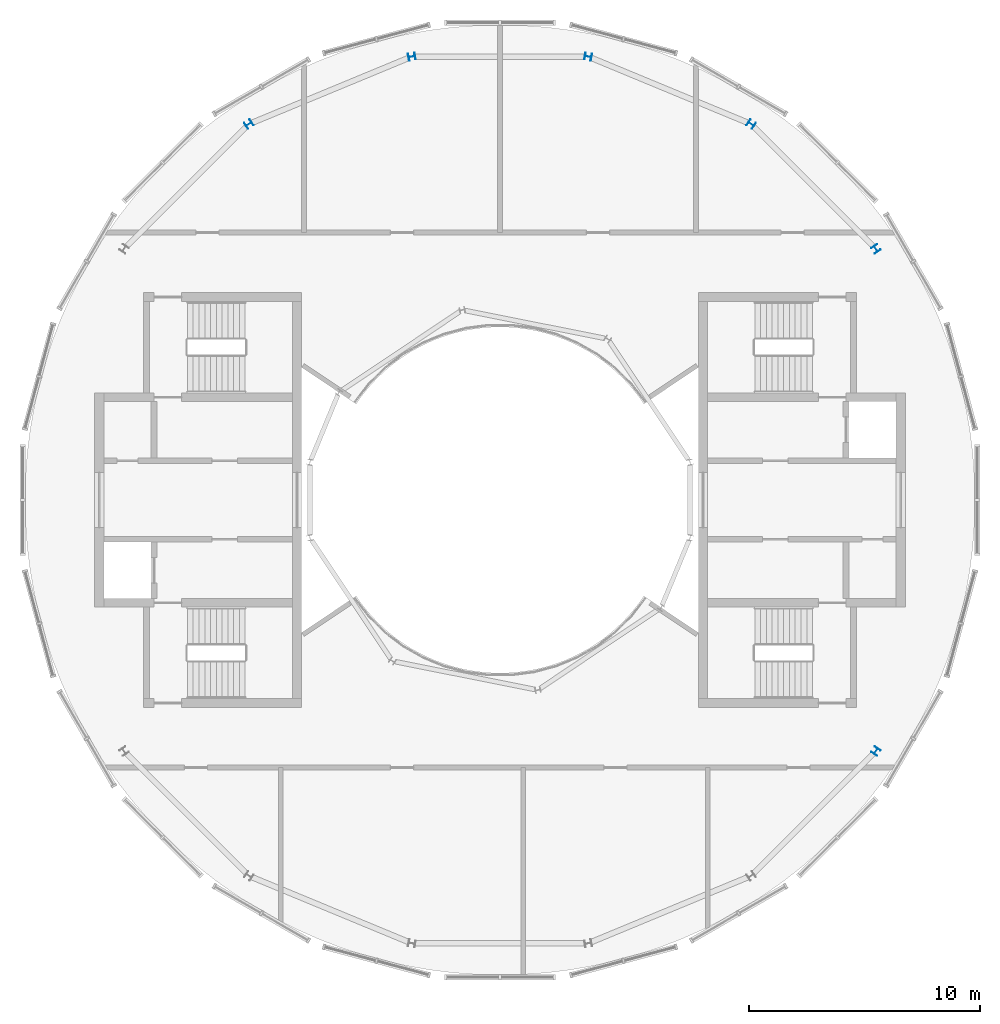
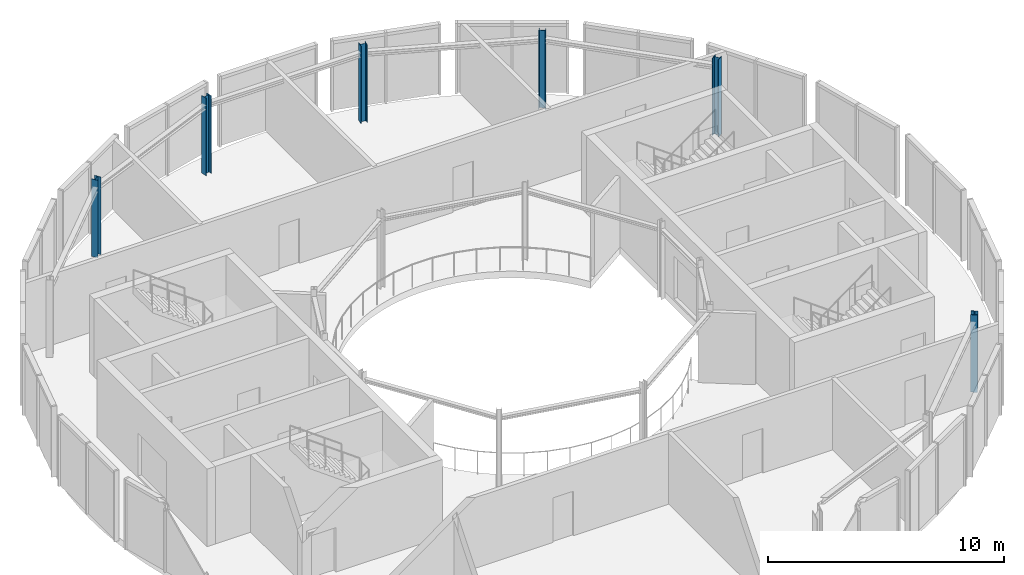
# One storey, part 3 of 12: 6 columns.
"""IFC4 building model written with IfcOpenShell, lengths in metres."""

from ifc_helpers import new_model, si_unit, direction, frame, origin, origin_2d, place, context, subcontext, project, spatial, i_section, extrude, material, material_profile, profile_set, type_object, element, save


model = new_model("IFC4")

# Units and contexts
model_context = context("Model", 3, precision=1e-05, world=origin(), true_north=direction((0.0, 1.0)))
body_context = subcontext(model_context, "Body", "Model", "MODEL_VIEW")
ifc_project = project(units=[si_unit("LENGTHUNIT", "METRE"), si_unit("AREAUNIT", "SQUARE_METRE"), si_unit("VOLUMEUNIT", "CUBIC_METRE"), si_unit("PLANEANGLEUNIT", "RADIAN"), si_unit("MASSUNIT", "GRAM", prefix="KILO")], contexts=[model_context])

# Site, building, storey
site_placement = place(None, origin())
site = spatial("IfcSite", under=ifc_project, at=site_placement, CompositionType="ELEMENT")
building_placement = place(site_placement, origin())
building = spatial("IfcBuilding", under=site, at=building_placement, Name="Maasbend Ring Residences", CompositionType="ELEMENT")
storey_placement = place(building_placement, frame((0.0, 0.0, 261.5)))
storey = spatial("IfcBuildingStorey", under=building, at=storey_placement, Name="L75", CompositionType="ELEMENT", Elevation=261.5)

# Columns
ifc_material = material(Name="Steel S355J2", Category="steel")
ifc_material_profile = material_profile(ifc_material, i_section(OverallWidth=0.300048828125, OverallDepth=0.300048828125, WebThickness=0.010986328125, FlangeThickness=0.01904296875, FilletRadius=0.027099609375, at=origin_2d()), Name="HEB 300")
ifc_profile_set = profile_set([ifc_material_profile], Name="Steel S355J2")
column_type = type_object("IfcColumnType", Name="Steel column HEB 300", PredefinedType="COLUMN", material=ifc_profile_set)
for number, where, z_axis, x_axis, name in (
    (1, (16.296875, 10.88916015625, 0.0), (0.0, 0.0, 1.0), (0.831469612303, 0.55557023302, 0.0), "Corridor ring column R2"),
    (2, (10.88916015625, 16.296875, 0.0), (0.0, 0.0, 1.0), (0.55557023302, 0.831469612303, 0.0), "Corridor ring column R3"),
    (3, (3.82373046875, 19.223388671875, 0.0), (0.0, 0.0, 1.0), (0.195090322016, 0.980785280403, 0.0), "Corridor ring column R4"),
    (4, (-3.82373046875, 19.223388671875, 0.0), (0.0, 0.0, 1.0), (-0.195090322016, 0.980785280403, 0.0), "Corridor ring column R5"),
    (5, (-10.88916015625, 16.296875, 0.0), (0.0, 0.0, 1.0), (-0.55557023302, 0.831469612303, 0.0), "Corridor ring column R6"),
    (6, (16.296875, -10.88916015625, 0.0), (0.0, 0.0, 1.0), (0.831469612303, -0.55557023302, 0.0), "Corridor ring column R15"),
):
    element("IfcColumn", number, at=place(storey_placement, frame(where, z_axis=z_axis, x_axis=x_axis)), inside=storey, type_object=column_type, Name=name, PredefinedType="COLUMN", context=body_context, shape_type="SweptSolid", body=[
        extrude(i_section(OverallWidth=0.300048828125, OverallDepth=0.300048828125, WebThickness=0.010986328125, FlangeThickness=0.01904296875, FilletRadius=0.027099609375, at=origin_2d()), origin(), (0.0, 0.0, 1.0), 4.0),
    ])

save(model, "model.ifc")
